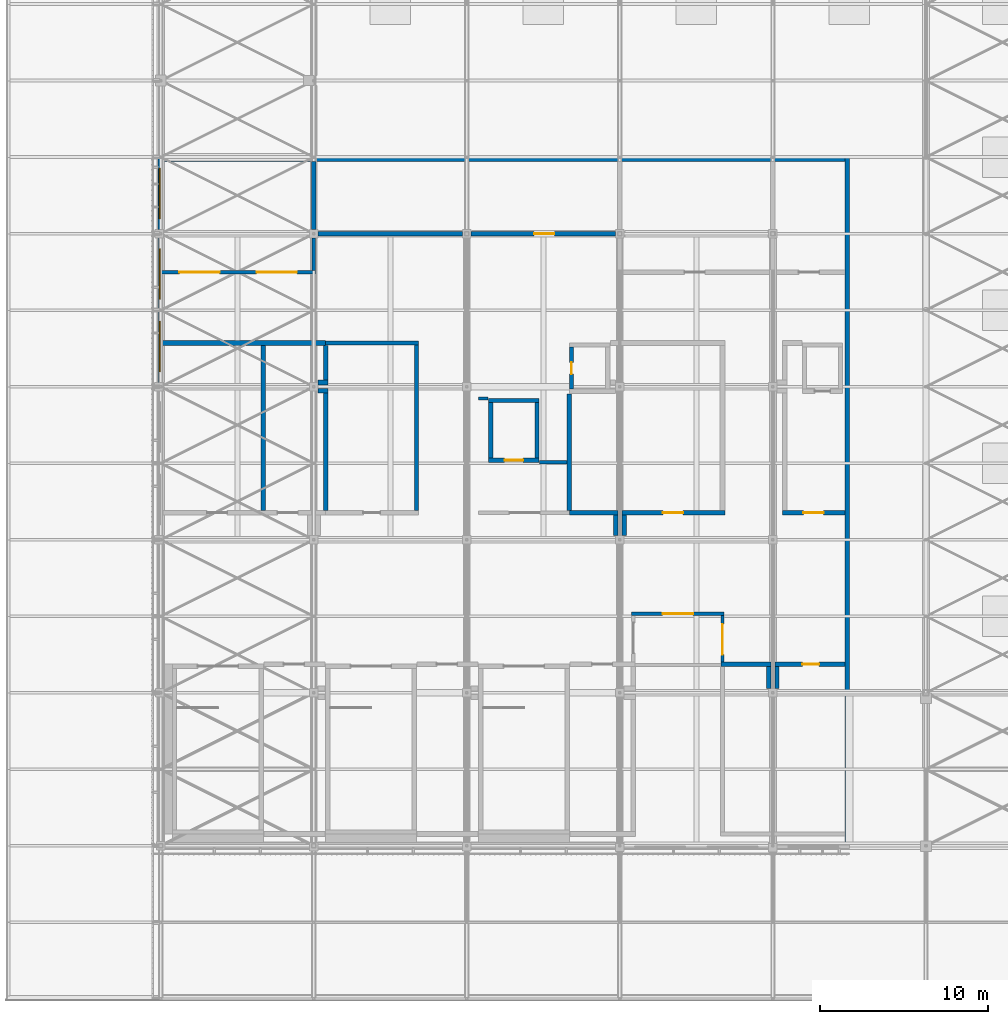
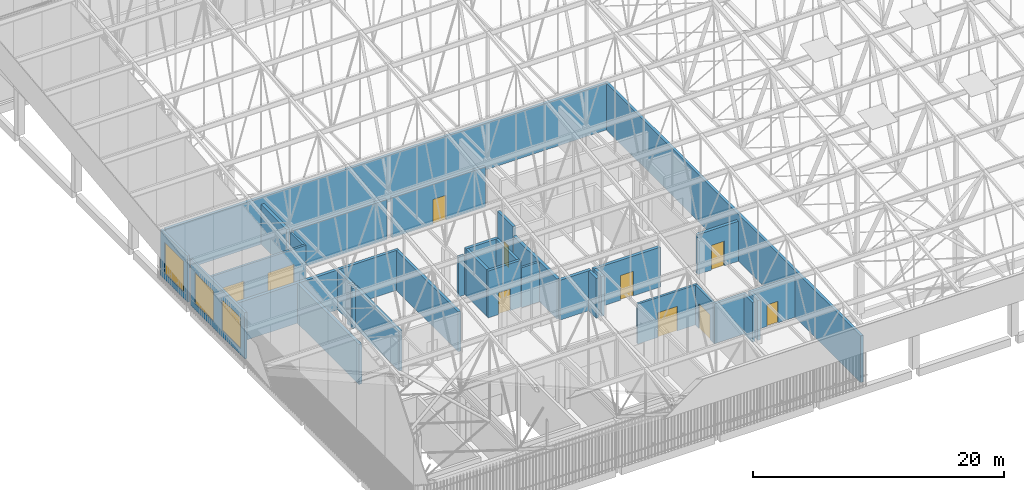
# One storey, part 425 of 500: 36 walls, 10 doors, 3 windows, 13 openings.
"""IFC4 building model written with IfcOpenShell, lengths in metres."""

from ifc_helpers import new_model, si_unit, direction, frame, frame_2d, origin, place, context, subcontext, project, spatial, rectangle, extrude, material, layer, layer_set, type_object, element, fill, save


model = new_model("IFC4")

# Units and contexts
model_context = context("Model", 3, precision=1e-05, world=origin(), true_north=direction((0.0, 1.0)))
body_context = subcontext(model_context, "Body", "Model", "MODEL_VIEW")
ifc_project = project(units=[si_unit("LENGTHUNIT", "METRE"), si_unit("AREAUNIT", "SQUARE_METRE"), si_unit("VOLUMEUNIT", "CUBIC_METRE"), si_unit("PLANEANGLEUNIT", "RADIAN"), si_unit("MASSUNIT", "GRAM", prefix="KILO")], contexts=[model_context])

# Site, building, storey
site_placement = place(None, origin())
site = spatial("IfcSite", under=ifc_project, at=site_placement, CompositionType="ELEMENT")
building_placement = place(site_placement, origin())
building = spatial("IfcBuilding", under=site, at=building_placement, Name="Shirokan Park Arena", CompositionType="ELEMENT")
storey_placement = place(building_placement, frame((0.0, 0.0, 29.1201171875)))
storey = spatial("IfcBuildingStorey", under=building, at=storey_placement, Name="L06", CompositionType="ELEMENT", Elevation=29.1201171875)

# Walls
ifc_material_1 = material(Name="Plaster")
ifc_layer_1 = layer(ifc_material_1, 0.014892578125, Name="Plaster")
ifc_material_2 = material(Name="Concrete blockwork", Category="masonry")
ifc_layer_2 = layer(ifc_material_2, 0.219970703125, Name="Concrete blockwork 220")
ifc_layer_3 = layer(ifc_material_1, 0.014892578125, Name="Plaster")
ifc_layer_set_1 = layer_set([ifc_layer_1, ifc_layer_2, ifc_layer_3], Name="Plaster + Concrete blockwork 220")
wall_type_1 = type_object("IfcWallType", Name="Compartment wall 250", PredefinedType="SOLIDWALL", material=ifc_layer_set_1)
wall_1_placement = place(storey_placement, frame((9.800048828125, 29.89990234375, 0.0), z_axis=(0.0, 0.0, 1.0), x_axis=(1.0, 0.0, 0.0)))
element("IfcWall", 1, at=wall_1_placement, inside=storey, type_object=wall_type_1, Name="Compartment wall 250 L06", PredefinedType="SOLIDWALL", context=body_context, shape_type="SweptSolid", body=[
    extrude(rectangle(XDim=5.52490234375, YDim=0.25, at=frame_2d((2.762451171875, 0.0))), origin(), (0.0, 0.0, 1.0), 3.8798828125),
])
wall_2_placement = place(storey_placement, frame((15.199951171875, 29.77490234375, 0.0), z_axis=(0.0, 0.0, 1.0), x_axis=(0.0, -1.0, 0.0)))
element("IfcWall", 2, at=wall_2_placement, inside=storey, type_object=wall_type_1, Name="Compartment wall 250 L06", PredefinedType="SOLIDWALL", context=body_context, shape_type="SweptSolid", body=[
    extrude(rectangle(XDim=9.849853515625, YDim=0.25, at=frame_2d((4.9248046875, 0.0))), origin(), (0.0, 0.0, 1.0), 3.8798828125),
])
wall_3_placement = place(storey_placement, frame((36.14990234375, 9.35009765625, 0.0), z_axis=(0.0, 0.0, 1.0), x_axis=(0.0, 1.0, 0.0)))
element("IfcWall", 3, at=wall_3_placement, inside=storey, type_object=wall_type_1, Name="Compartment wall 250 L06", PredefinedType="SOLIDWALL", context=body_context, shape_type="SweptSolid", body=[
    extrude(rectangle(XDim=1.324951171875, YDim=0.25, at=frame_2d((0.66259765625, 0.0))), origin(), (0.0, 0.0, 1.0), 3.8798828125),
])
wall_4_placement = place(storey_placement, frame((36.27490234375, 10.800048828125, 0.0), z_axis=(0.0, 0.0, 1.0), x_axis=(-1.0, 0.0, 0.0)))
element("IfcWall", 4, at=wall_4_placement, inside=storey, type_object=wall_type_1, Name="Compartment wall 250 L06", PredefinedType="SOLIDWALL", context=body_context, shape_type="SweptSolid", body=[
    extrude(rectangle(XDim=2.974853515625, YDim=0.25, at=frame_2d((1.4873046875, 0.0))), origin(), (0.0, 0.0, 1.0), 3.8798828125),
])
wall_5_placement = place(storey_placement, frame((36.64990234375, 10.675048828125, 0.0), z_axis=(0.0, 0.0, 1.0), x_axis=(0.0, -1.0, 0.0)))
element("IfcWall", 5, at=wall_5_placement, inside=storey, type_object=wall_type_1, Name="Compartment wall 250 L06", PredefinedType="SOLIDWALL", context=body_context, shape_type="SweptSolid", body=[
    extrude(rectangle(XDim=1.324951171875, YDim=0.25, at=frame_2d((0.66259765625, 0.0))), origin(), (0.0, 0.0, 1.0), 3.8798828125),
])

# Wall, opening, door
wall_6_placement = place(storey_placement, frame((40.699951171875, 10.800048828125, 0.0), z_axis=(0.0, 0.0, 1.0), x_axis=(-1.0, 0.0, 0.0)))
wall_6 = element("IfcWall", 6, at=wall_6_placement, inside=storey, type_object=wall_type_1, Name="Compartment wall 250 L06", PredefinedType="SOLIDWALL", context=body_context, shape_type="SweptSolid", body=[
    extrude(rectangle(XDim=4.175048828125, YDim=0.25, at=frame_2d((2.08740234375, 0.0))), origin(), (0.0, 0.0, 1.0), 3.8798828125),
])
opening_1_placement = place(wall_6_placement, frame((1.550048828125, 0.0, 0.0)))
opening_1 = element("IfcOpeningElement", 7, at=opening_1_placement, cuts=wall_6, Name="Opening D-6009", PredefinedType="OPENING", context=body_context, shape_type="SweptSolid", body=[
    extrude(rectangle(XDim=1.0, YDim=2.10009765625, at=frame_2d((0.5, 1.050048828125))), frame((0.0, 0.135009765625, 0.0), z_axis=(0.0, -1.0, 0.0), x_axis=(1.0, 0.0, 0.0)), (0.0, 0.0, 1.0), 0.27001953125),
])
ifc_material_3 = material(Name="Timber door set, fire resisting", Category="wood")
door_type_1 = type_object("IfcDoorType", Name="Door 1000 x 2100", OperationType="SINGLE_SWING_LEFT", PredefinedType="DOOR", material=ifc_material_3)
door_1_placement = place(opening_1_placement, origin())
door_1 = element("IfcDoor", 8, at=door_1_placement, inside=storey, type_object=door_type_1, Name="Door to Maintenance Equipment Store 6.13 D-6009", OperationType="SINGLE_SWING_RIGHT", OverallHeight=2.10009765625, OverallWidth=1.0, PredefinedType="DOOR", context=body_context, shape_type="SweptSolid", body=[
    extrude(rectangle(XDim=1.0, YDim=2.10009765625, at=frame_2d((0.5, 1.050048828125))), frame((0.0, 0.02490234375, 0.0), z_axis=(0.0, -1.0, 0.0), x_axis=(1.0, 0.0, 0.0)), (0.0, 0.0, 1.0), 0.050048828125),
])
fill(opening_1, door_1)

# Wall, openings, doors
ifc_material_4 = material(Name="Gypsum board")
ifc_layer_4 = layer(ifc_material_4, 0.02490234375, Name="Gypsum board, two layers")
ifc_material_5 = material(Name="Mineral wool insulation")
ifc_layer_5 = layer(ifc_material_5, 0.14990234375, Name="Mineral wool insulation")
ifc_layer_6 = layer(ifc_material_4, 0.02490234375, Name="Gypsum board, two layers")
ifc_layer_set_2 = layer_set([ifc_layer_4, ifc_layer_5, ifc_layer_6], Name="Gypsum board, two layers + Mineral wool insulation")
wall_type_2 = type_object("IfcWallType", Name="Corridor wall 200", PredefinedType="PARTITIONING", material=ifc_layer_set_2)
wall_7_placement = place(storey_placement, frame((0.050048828125, 34.10009765625, 0.0), z_axis=(0.0, 0.0, 1.0), x_axis=(1.0, 0.0, 0.0)))
wall_7 = element("IfcWall", 9, at=wall_7_placement, inside=storey, type_object=wall_type_2, Name="Corridor wall 200 L06", PredefinedType="PARTITIONING", context=body_context, shape_type="SweptSolid", body=[
    extrude(rectangle(XDim=9.14990234375, YDim=0.199951171875, at=frame_2d((4.574951171875, 0.0))), origin(), (0.0, 0.0, 1.0), 3.8798828125),
])
opening_2_placement = place(wall_7_placement, frame((1.050048828125, 0.0, 0.0)))
opening_2 = element("IfcOpeningElement", 10, at=opening_2_placement, cuts=wall_7, Name="Opening D-6042", PredefinedType="OPENING", context=body_context, shape_type="SweptSolid", body=[
    extrude(rectangle(XDim=2.39990234375, YDim=2.39990234375, at=frame_2d((1.199951171875, 1.199951171875))), frame((0.0, 0.10986328125, 0.0), z_axis=(0.0, -1.0, 0.0), x_axis=(1.0, 0.0, 0.0)), (0.0, 0.0, 1.0), 0.219970703125),
])
opening_3_placement = place(wall_7_placement, frame((5.64990234375, 0.0, 0.0)))
opening_3 = element("IfcOpeningElement", 11, at=opening_3_placement, cuts=wall_7, Name="Opening D-6043", PredefinedType="OPENING", context=body_context, shape_type="SweptSolid", body=[
    extrude(rectangle(XDim=2.39990234375, YDim=2.39990234375, at=frame_2d((1.199951171875, 1.199951171875))), frame((0.0, 0.10986328125, 0.0), z_axis=(0.0, -1.0, 0.0), x_axis=(1.0, 0.0, 0.0)), (0.0, 0.0, 1.0), 0.219970703125),
])
ifc_material_6 = material(Name="Steel door set, fire resisting", Category="steel")
door_type_2 = type_object("IfcDoorType", Name="Double door 2400 x 2400", OperationType="DOUBLE_DOOR_SINGLE_SWING", PredefinedType="DOOR", material=ifc_material_6)
door_2_placement = place(opening_2_placement, origin())
door_2 = element("IfcDoor", 12, at=door_2_placement, inside=storey, type_object=door_type_2, Name="Door between Service Corridor 1.6 and Concourse Link 1.6 D-6042", OperationType="DOUBLE_DOOR_SINGLE_SWING", OverallHeight=2.39990234375, OverallWidth=2.39990234375, PredefinedType="DOOR", context=body_context, shape_type="SweptSolid", body=[
    extrude(rectangle(XDim=2.39990234375, YDim=2.39990234375, at=frame_2d((1.199951171875, 1.199951171875))), frame((0.0, 0.02490234375, 0.0), z_axis=(0.0, -1.0, 0.0), x_axis=(1.0, 0.0, 0.0)), (0.0, 0.0, 1.0), 0.050048828125),
])
fill(opening_2, door_2)
door_3_placement = place(opening_3_placement, origin())
door_3 = element("IfcDoor", 13, at=door_3_placement, inside=storey, type_object=door_type_2, Name="Door between Service Corridor 1.6 and Concourse Link 1.6 D-6043", OperationType="DOUBLE_DOOR_SINGLE_SWING", OverallHeight=2.39990234375, OverallWidth=2.39990234375, PredefinedType="DOOR", context=body_context, shape_type="SweptSolid", body=[
    extrude(rectangle(XDim=2.39990234375, YDim=2.39990234375, at=frame_2d((1.199951171875, 1.199951171875))), frame((0.0, 0.02490234375, 0.0), z_axis=(0.0, -1.0, 0.0), x_axis=(1.0, 0.0, 0.0)), (0.0, 0.0, 1.0), 0.050048828125),
])
fill(opening_3, door_3)

# Walls
wall_8_placement = place(storey_placement, frame((9.10009765625, 34.199951171875, 0.0), z_axis=(0.0, 0.0, 1.0), x_axis=(0.0, 1.0, 0.0)))
element("IfcWall", 14, at=wall_8_placement, inside=storey, type_object=wall_type_2, Name="Corridor wall 200 L06", PredefinedType="PARTITIONING", context=body_context, shape_type="SweptSolid", body=[
    extrude(rectangle(XDim=1.949951171875, YDim=0.199951171875, at=frame_2d((0.97509765625, 0.0))), origin(), (0.0, 0.0, 1.0), 3.8798828125),
])
wall_9_placement = place(storey_placement, frame((18.89990234375, 26.60009765625, 0.0), z_axis=(0.0, 0.0, 1.0), x_axis=(1.0, 0.0, 0.0)))
element("IfcWall", 15, at=wall_9_placement, inside=storey, type_object=wall_type_2, Name="Corridor wall 200 L06", PredefinedType="PARTITIONING", context=body_context, shape_type="SweptSolid", body=[
    extrude(rectangle(XDim=0.570068359375, YDim=0.199951171875, at=frame_2d((0.28515625, 0.0))), origin(), (0.0, 0.0, 1.0), 3.8798828125),
])
wall_10_placement = place(storey_placement, frame((22.530029296875, 22.800048828125, 0.0), z_axis=(0.0, 0.0, 1.0), x_axis=(1.0, 0.0, 0.0)))
element("IfcWall", 16, at=wall_10_placement, inside=storey, type_object=wall_type_2, Name="Corridor wall 200 L06", PredefinedType="PARTITIONING", context=body_context, shape_type="SweptSolid", body=[
    extrude(rectangle(XDim=1.632568359375, YDim=0.199951171875, at=frame_2d((0.81640625, 0.0))), origin(), (0.0, 0.0, 1.0), 3.8798828125),
])

# Wall, opening, door
wall_11_placement = place(storey_placement, frame((33.39990234375, 10.925048828125, 0.0), z_axis=(0.0, 0.0, 1.0), x_axis=(0.0, 1.0, 0.0)))
wall_11 = element("IfcWall", 17, at=wall_11_placement, inside=storey, type_object=wall_type_2, Name="Corridor wall 200 L06", PredefinedType="PARTITIONING", context=body_context, shape_type="SweptSolid", body=[
    extrude(rectangle(XDim=2.77490234375, YDim=0.199951171875, at=frame_2d((1.387451171875, 0.0))), origin(), (0.0, 0.0, 1.0), 3.8798828125),
])
opening_4_placement = place(wall_11_placement, frame((0.449951171875, 0.0, 0.0)))
opening_4 = element("IfcOpeningElement", 18, at=opening_4_placement, cuts=wall_11, Name="Opening D-6045", PredefinedType="OPENING", context=body_context, shape_type="SweptSolid", body=[
    extrude(rectangle(XDim=1.800048828125, YDim=2.39990234375, at=frame_2d((0.89990234375, 1.199951171875))), frame((0.0, 0.10986328125, 0.0), z_axis=(0.0, -1.0, 0.0), x_axis=(1.0, 0.0, 0.0)), (0.0, 0.0, 1.0), 0.219970703125),
])
ifc_material_7 = material(Name="Glazed steel door set, fire resisting", Category="steel")
door_type_3 = type_object("IfcDoorType", Name="Lift lobby door 1800 x 2400", OperationType="DOUBLE_DOOR_SINGLE_SWING", PredefinedType="DOOR", material=ifc_material_7)
door_4_placement = place(opening_4_placement, origin())
door_4 = element("IfcDoor", 19, at=door_4_placement, inside=storey, type_object=door_type_3, Name="Door between Plant Gallery 1.6.1 and Lift Lobby 1.6 D-6045", OperationType="DOUBLE_DOOR_SINGLE_SWING", OverallHeight=2.39990234375, OverallWidth=1.800048828125, PredefinedType="DOOR", context=body_context, shape_type="SweptSolid", body=[
    extrude(rectangle(XDim=1.800048828125, YDim=2.39990234375, at=frame_2d((0.89990234375, 1.199951171875))), frame((0.0, 0.02490234375, 0.0), z_axis=(0.0, -1.0, 0.0), x_axis=(1.0, 0.0, 0.0)), (0.0, 0.0, 1.0), 0.050048828125),
])
fill(opening_4, door_4)

wall_12_placement = place(storey_placement, frame((33.5, 13.800048828125, 0.0), z_axis=(0.0, 0.0, 1.0), x_axis=(-1.0, 0.0, 0.0)))
wall_12 = element("IfcWall", 20, at=wall_12_placement, inside=storey, type_object=wall_type_2, Name="Corridor wall 200 L06", PredefinedType="PARTITIONING", context=body_context, shape_type="SweptSolid", body=[
    extrude(rectangle(XDim=5.5, YDim=0.199951171875, at=frame_2d((2.75, 0.0))), origin(), (0.0, 0.0, 1.0), 3.8798828125),
])
opening_5_placement = place(wall_12_placement, frame((1.85009765625, 0.0, 0.0)))
opening_5 = element("IfcOpeningElement", 21, at=opening_5_placement, cuts=wall_12, Name="Opening D-6044", PredefinedType="OPENING", context=body_context, shape_type="SweptSolid", body=[
    extrude(rectangle(XDim=1.800048828125, YDim=2.39990234375, at=frame_2d((0.89990234375, 1.199951171875))), frame((0.0, 0.10986328125, 0.0), z_axis=(0.0, -1.0, 0.0), x_axis=(1.0, 0.0, 0.0)), (0.0, 0.0, 1.0), 0.219970703125),
])
door_5_placement = place(opening_5_placement, origin())
door_5 = element("IfcDoor", 22, at=door_5_placement, inside=storey, type_object=door_type_3, Name="Door between Plant Gallery 1.6.1 and Lift Lobby 1.6 D-6044", OperationType="DOUBLE_DOOR_SINGLE_SWING", OverallHeight=2.39990234375, OverallWidth=1.800048828125, PredefinedType="DOOR", context=body_context, shape_type="SweptSolid", body=[
    extrude(rectangle(XDim=1.800048828125, YDim=2.39990234375, at=frame_2d((0.89990234375, 1.199951171875))), frame((0.0, 0.02490234375, 0.0), z_axis=(0.0, -1.0, 0.0), x_axis=(1.0, 0.0, 0.0)), (0.0, 0.0, 1.0), 0.050048828125),
])
fill(opening_5, door_5)

# Wall, opening, window
ifc_material_8 = material(Name="Concrete C35", Category="concrete")
ifc_layer_7 = layer(ifc_material_8, 0.14990234375, Name="Concrete C35")
ifc_layer_8 = layer(ifc_material_5, 0.050048828125, Name="Mineral wool insulation")
ifc_layer_set_3 = layer_set([ifc_layer_7, ifc_layer_8], Name="Concrete C35 + Mineral wool insulation")
wall_type_3 = type_object("IfcWallType", Name="Plant gallery wall 200", PredefinedType="SOLIDWALL", material=ifc_layer_set_3)
wall_13_placement = place(storey_placement, frame((-0.050048828125, 40.949951171875, 0.0), z_axis=(0.0, 0.0, 1.0), x_axis=(0.0, -1.0, 0.0)))
wall_13 = element("IfcWall", 23, at=wall_13_placement, inside=storey, type_object=wall_type_3, Name="West facade wall bay 8 L06", PredefinedType="SOLIDWALL", context=body_context, shape_type="SweptSolid", body=[
    extrude(rectangle(XDim=4.300048828125, YDim=0.199951171875, at=frame_2d((2.14990234375, 0.0))), origin(), (0.0, 0.0, 1.0), 4.5),
])
opening_6_placement = place(wall_13_placement, frame((0.64990234375, 0.0, 0.60009765625)))
opening_6 = element("IfcOpeningElement", 24, at=opening_6_placement, cuts=wall_13, Name="Opening W2", PredefinedType="OPENING", context=body_context, shape_type="SweptSolid", body=[
    extrude(rectangle(XDim=3.0, YDim=3.0, at=frame_2d((1.5, 1.5))), frame((0.0, 0.10986328125, 0.0), z_axis=(0.0, -1.0, 0.0), x_axis=(1.0, 0.0, 0.0)), (0.0, 0.0, 1.0), 0.219970703125),
])
ifc_material_9 = material(Name="Aluminium louvre", Category="aluminium")
window_type = type_object("IfcWindowType", Name="Plant louvre 3000x3000", PartitioningType="DOUBLE_PANEL_VERTICAL", PredefinedType="WINDOW", material=ifc_material_9)
window_1_placement = place(opening_6_placement, origin())
window_1 = element("IfcWindow", 25, at=window_1_placement, inside=storey, type_object=window_type, Name="Plant louvre 3000x3000 west bay 8 L06", OverallHeight=3.0, OverallWidth=3.0, PartitioningType="SINGLE_PANEL", PredefinedType="WINDOW", context=body_context, shape_type="SweptSolid", body=[
    extrude(rectangle(XDim=3.0, YDim=3.0, at=frame_2d((1.5, 1.5))), frame((0.0, 0.030029296875, 0.0), z_axis=(0.0, -1.0, 0.0), x_axis=(1.0, 0.0, 0.0)), (0.0, 0.0, 1.0), 0.06005859375),
])
fill(opening_6, window_1)

# Wall, openings, windows
wall_14_placement = place(storey_placement, frame((-0.050048828125, 36.14990234375, 0.0), z_axis=(0.0, 0.0, 1.0), x_axis=(0.0, -1.0, 0.0)))
wall_14 = element("IfcWall", 26, at=wall_14_placement, inside=storey, type_object=wall_type_3, Name="West facade wall bay 9 L06", PredefinedType="SOLIDWALL", context=body_context, shape_type="SweptSolid", body=[
    extrude(rectangle(XDim=8.599853515625, YDim=0.199951171875, at=frame_2d((4.2998046875, 0.0))), origin(), (0.0, 0.0, 1.0), 4.5),
])
opening_7_placement = place(wall_14_placement, frame((0.64990234375, 0.0, 0.60009765625)))
opening_7 = element("IfcOpeningElement", 27, at=opening_7_placement, cuts=wall_14, Name="Opening W2", PredefinedType="OPENING", context=body_context, shape_type="SweptSolid", body=[
    extrude(rectangle(XDim=3.0, YDim=3.0, at=frame_2d((1.5, 1.5))), frame((0.0, 0.10986328125, 0.0), z_axis=(0.0, -1.0, 0.0), x_axis=(1.0, 0.0, 0.0)), (0.0, 0.0, 1.0), 0.219970703125),
])
opening_8_placement = place(wall_14_placement, frame((4.949951171875, 0.0, 0.60009765625)))
opening_8 = element("IfcOpeningElement", 28, at=opening_8_placement, cuts=wall_14, Name="Opening W2", PredefinedType="OPENING", context=body_context, shape_type="SweptSolid", body=[
    extrude(rectangle(XDim=3.0, YDim=3.0, at=frame_2d((1.5, 1.5))), frame((0.0, 0.10986328125, 0.0), z_axis=(0.0, -1.0, 0.0), x_axis=(1.0, 0.0, 0.0)), (0.0, 0.0, 1.0), 0.219970703125),
])
window_2_placement = place(opening_7_placement, origin())
window_2 = element("IfcWindow", 29, at=window_2_placement, inside=storey, type_object=window_type, Name="Plant louvre 3000x3000 west bay 9 L06", OverallHeight=3.0, OverallWidth=3.0, PartitioningType="SINGLE_PANEL", PredefinedType="WINDOW", context=body_context, shape_type="SweptSolid", body=[
    extrude(rectangle(XDim=3.0, YDim=3.0, at=frame_2d((1.5, 1.5))), frame((0.0, 0.030029296875, 0.0), z_axis=(0.0, -1.0, 0.0), x_axis=(1.0, 0.0, 0.0)), (0.0, 0.0, 1.0), 0.06005859375),
])
fill(opening_7, window_2)
window_3_placement = place(opening_8_placement, origin())
window_3 = element("IfcWindow", 30, at=window_3_placement, inside=storey, type_object=window_type, Name="Plant louvre 3000x3000 west bay 9 L06", OverallHeight=3.0, OverallWidth=3.0, PartitioningType="SINGLE_PANEL", PredefinedType="WINDOW", context=body_context, shape_type="SweptSolid", body=[
    extrude(rectangle(XDim=3.0, YDim=3.0, at=frame_2d((1.5, 1.5))), frame((0.0, 0.030029296875, 0.0), z_axis=(0.0, -1.0, 0.0), x_axis=(1.0, 0.0, 0.0)), (0.0, 0.0, 1.0), 0.06005859375),
])
fill(opening_8, window_3)

# Walls
ifc_layer_9 = layer(ifc_material_1, 0.012451171875, Name="Plaster")
ifc_layer_10 = layer(ifc_material_2, 0.25, Name="Concrete blockwork 250")
ifc_layer_11 = layer(ifc_material_1, 0.012451171875, Name="Plaster")
ifc_layer_set_4 = layer_set([ifc_layer_9, ifc_layer_10, ifc_layer_11], Name="Plaster + Concrete blockwork 250")
wall_type_4 = type_object("IfcWallType", Name="Plant room wall 275", PredefinedType="SOLIDWALL", material=ifc_layer_set_4)
wall_15_placement = place(storey_placement, frame((0.050048828125, 29.89990234375, 0.0), z_axis=(0.0, 0.0, 1.0), x_axis=(1.0, 0.0, 0.0)))
element("IfcWall", 31, at=wall_15_placement, inside=storey, type_object=wall_type_4, Name="Plant room wall 275 L06", PredefinedType="SOLIDWALL", context=body_context, shape_type="SweptSolid", body=[
    extrude(rectangle(XDim=9.75, YDim=0.27490234375, at=frame_2d((4.875, 0.0))), origin(), (0.0, 0.0, 1.0), 3.8798828125),
])
wall_16_placement = place(storey_placement, frame((6.10009765625, 29.762451171875, 0.0), z_axis=(0.0, 0.0, 1.0), x_axis=(0.0, -1.0, 0.0)))
element("IfcWall", 32, at=wall_16_placement, inside=storey, type_object=wall_type_4, Name="Plant room wall 275 L06", PredefinedType="SOLIDWALL", context=body_context, shape_type="SweptSolid", body=[
    extrude(rectangle(XDim=9.824951171875, YDim=0.27490234375, at=frame_2d((4.91259765625, 0.0))), origin(), (0.0, 0.0, 1.0), 3.8798828125),
])
wall_17_placement = place(storey_placement, frame((9.10009765625, 36.64990234375, 0.0), z_axis=(0.0, 0.0, 1.0), x_axis=(0.0, 1.0, 0.0)))
element("IfcWall", 33, at=wall_17_placement, inside=storey, type_object=wall_type_4, Name="Plant room wall 275 L06", PredefinedType="SOLIDWALL", context=body_context, shape_type="SweptSolid", body=[
    extrude(rectangle(XDim=4.050048828125, YDim=0.27490234375, at=frame_2d((2.02490234375, 0.0))), origin(), (0.0, 0.0, 1.0), 3.8798828125),
])
wall_18_placement = place(storey_placement, frame((9.35009765625, 27.550048828125, 0.0), z_axis=(0.0, 0.0, 1.0), x_axis=(1.0, 0.0, 0.0)))
element("IfcWall", 34, at=wall_18_placement, inside=storey, type_object=wall_type_4, Name="Plant room wall 275 L06", PredefinedType="SOLIDWALL", context=body_context, shape_type="SweptSolid", body=[
    extrude(rectangle(XDim=0.58740234375, YDim=0.27490234375, at=frame_2d((0.293701171875, 0.0))), origin(), (0.0, 0.0, 1.0), 3.8798828125),
])
wall_19_placement = place(storey_placement, frame((9.800048828125, 19.9375, 0.0), z_axis=(0.0, 0.0, 1.0), x_axis=(0.0, 1.0, 0.0)))
element("IfcWall", 35, at=wall_19_placement, inside=storey, type_object=wall_type_4, Name="Plant room wall 275 L06", PredefinedType="SOLIDWALL", context=body_context, shape_type="SweptSolid", body=[
    extrude(rectangle(XDim=6.97509765625, YDim=0.27490234375, at=frame_2d((3.487548828125, 0.0))), origin(), (0.0, 0.0, 1.0), 3.8798828125),
])
wall_20_placement = place(storey_placement, frame((9.800048828125, 27.6875, 0.0), z_axis=(0.0, 0.0, 1.0), x_axis=(0.0, 1.0, 0.0)))
element("IfcWall", 36, at=wall_20_placement, inside=storey, type_object=wall_type_4, Name="Plant room wall 275 L06", PredefinedType="SOLIDWALL", context=body_context, shape_type="SweptSolid", body=[
    extrude(rectangle(XDim=2.074951171875, YDim=0.27490234375, at=frame_2d((1.03759765625, 0.0))), origin(), (0.0, 0.0, 1.0), 3.8798828125),
])
wall_21_placement = place(storey_placement, frame((9.9375, 27.050048828125, 0.0), z_axis=(0.0, 0.0, 1.0), x_axis=(-1.0, 0.0, 0.0)))
element("IfcWall", 37, at=wall_21_placement, inside=storey, type_object=wall_type_4, Name="Plant room wall 275 L06", PredefinedType="SOLIDWALL", context=body_context, shape_type="SweptSolid", body=[
    extrude(rectangle(XDim=0.58740234375, YDim=0.27490234375, at=frame_2d((0.293701171875, 0.0))), origin(), (0.0, 0.0, 1.0), 3.8798828125),
])
wall_22_placement = place(storey_placement, frame((17.949951171875, 36.39990234375, 0.0), z_axis=(0.0, 0.0, 1.0), x_axis=(-1.0, 0.0, 0.0)))
element("IfcWall", 38, at=wall_22_placement, inside=storey, type_object=wall_type_4, Name="Plant room wall 275 L06", PredefinedType="SOLIDWALL", context=body_context, shape_type="SweptSolid", body=[
    extrude(rectangle(XDim=8.599853515625, YDim=0.27490234375, at=frame_2d((4.2998046875, 0.0))), origin(), (0.0, 0.0, 1.0), 3.8798828125),
])
wall_23_placement = place(storey_placement, frame((24.300048828125, 19.800048828125, 0.0), z_axis=(0.0, 0.0, 1.0), x_axis=(1.0, 0.0, 0.0)))
element("IfcWall", 39, at=wall_23_placement, inside=storey, type_object=wall_type_4, Name="Plant room wall 275 L06", PredefinedType="SOLIDWALL", context=body_context, shape_type="SweptSolid", body=[
    extrude(rectangle(XDim=2.887451171875, YDim=0.27490234375, at=frame_2d((1.44384765625, 0.0))), origin(), (0.0, 0.0, 1.0), 3.8798828125),
])
wall_24_placement = place(storey_placement, frame((24.300048828125, 19.9375, 0.0), z_axis=(0.0, 0.0, 1.0), x_axis=(0.0, 1.0, 0.0)))
element("IfcWall", 40, at=wall_24_placement, inside=storey, type_object=wall_type_4, Name="Plant room wall 275 L06", PredefinedType="SOLIDWALL", context=body_context, shape_type="SweptSolid", body=[
    extrude(rectangle(XDim=6.9326171875, YDim=0.27490234375, at=frame_2d((3.46630859375, 0.0))), origin(), (0.0, 0.0, 1.0), 3.8798828125),
])
wall_25_placement = place(storey_placement, frame((27.050048828125, 19.66259765625, 0.0), z_axis=(0.0, 0.0, 1.0), x_axis=(0.0, -1.0, 0.0)))
element("IfcWall", 41, at=wall_25_placement, inside=storey, type_object=wall_type_4, Name="Plant room wall 275 L06", PredefinedType="SOLIDWALL", context=body_context, shape_type="SweptSolid", body=[
    extrude(rectangle(XDim=1.212646484375, YDim=0.27490234375, at=frame_2d((0.6064453125, 0.0))), origin(), (0.0, 0.0, 1.0), 3.8798828125),
])

# Wall, opening, door
wall_26_placement = place(storey_placement, frame((27.050048828125, 36.39990234375, 0.0), z_axis=(0.0, 0.0, 1.0), x_axis=(-1.0, 0.0, 0.0)))
wall_26 = element("IfcWall", 42, at=wall_26_placement, inside=storey, type_object=wall_type_4, Name="Plant room wall 275 L06", PredefinedType="SOLIDWALL", context=body_context, shape_type="SweptSolid", body=[
    extrude(rectangle(XDim=8.60009765625, YDim=0.27490234375, at=frame_2d((4.300048828125, 0.0))), origin(), (0.0, 0.0, 1.0), 3.8798828125),
])
opening_9_placement = place(wall_26_placement, frame((3.64990234375, 0.0, 0.0)))
opening_9 = element("IfcOpeningElement", 43, at=opening_9_placement, cuts=wall_26, Name="Opening D-6010", PredefinedType="OPENING", context=body_context, shape_type="SweptSolid", body=[
    extrude(rectangle(XDim=1.199951171875, YDim=2.39990234375, at=frame_2d((0.60009765625, 1.199951171875))), frame((0.0, 0.1474609375, 0.0), z_axis=(0.0, -1.0, 0.0), x_axis=(1.0, 0.0, 0.0)), (0.0, 0.0, 1.0), 0.294921875),
])
ifc_material_10 = material(Name="Louvred steel door set, fire resisting", Category="steel")
door_type_4 = type_object("IfcDoorType", Name="Plant room door 1200 x 2400", OperationType="SINGLE_SWING_LEFT", PredefinedType="DOOR", material=ifc_material_10)
door_6_placement = place(opening_9_placement, origin())
door_6 = element("IfcDoor", 44, at=door_6_placement, inside=storey, type_object=door_type_4, Name="Door to Air Handling Plant Room 6.11 D-6010", OperationType="SINGLE_SWING_LEFT", OverallHeight=2.39990234375, OverallWidth=1.199951171875, PredefinedType="DOOR", context=body_context, shape_type="SweptSolid", body=[
    extrude(rectangle(XDim=1.199951171875, YDim=2.39990234375, at=frame_2d((0.60009765625, 1.199951171875))), frame((0.0, 0.02490234375, 0.0), z_axis=(0.0, -1.0, 0.0), x_axis=(1.0, 0.0, 0.0)), (0.0, 0.0, 1.0), 0.050048828125),
])
fill(opening_9, door_6)

wall_27_placement = place(storey_placement, frame((27.41259765625, 19.800048828125, 0.0), z_axis=(0.0, 0.0, 1.0), x_axis=(1.0, 0.0, 0.0)))
wall_27 = element("IfcWall", 45, at=wall_27_placement, inside=storey, type_object=wall_type_4, Name="Plant room wall 275 L06", PredefinedType="SOLIDWALL", context=body_context, shape_type="SweptSolid", body=[
    extrude(rectangle(XDim=6.125, YDim=0.27490234375, at=frame_2d((3.0625, 0.0))), origin(), (0.0, 0.0, 1.0), 3.8798828125),
])
opening_10_placement = place(wall_27_placement, frame((2.449951171875, 0.0, 0.0)))
opening_10 = element("IfcOpeningElement", 46, at=opening_10_placement, cuts=wall_27, Name="Opening D-6002", PredefinedType="OPENING", context=body_context, shape_type="SweptSolid", body=[
    extrude(rectangle(XDim=1.199951171875, YDim=2.39990234375, at=frame_2d((0.60009765625, 1.199951171875))), frame((0.0, 0.1474609375, 0.0), z_axis=(0.0, -1.0, 0.0), x_axis=(1.0, 0.0, 0.0)), (0.0, 0.0, 1.0), 0.294921875),
])
door_7_placement = place(opening_10_placement, origin())
door_7 = element("IfcDoor", 47, at=door_7_placement, inside=storey, type_object=door_type_4, Name="Door to Communications Room 6.18 D-6002", OperationType="SINGLE_SWING_RIGHT", OverallHeight=2.39990234375, OverallWidth=1.199951171875, PredefinedType="DOOR", context=body_context, shape_type="SweptSolid", body=[
    extrude(rectangle(XDim=1.199951171875, YDim=2.39990234375, at=frame_2d((0.60009765625, 1.199951171875))), frame((0.0, 0.02490234375, 0.0), z_axis=(0.0, -1.0, 0.0), x_axis=(1.0, 0.0, 0.0)), (0.0, 0.0, 1.0), 0.050048828125),
])
fill(opening_10, door_7)

# Wall
wall_28_placement = place(storey_placement, frame((27.550048828125, 18.449951171875, 0.0), z_axis=(0.0, 0.0, 1.0), x_axis=(0.0, 1.0, 0.0)))
element("IfcWall", 48, at=wall_28_placement, inside=storey, type_object=wall_type_4, Name="Plant room wall 275 L06", PredefinedType="SOLIDWALL", context=body_context, shape_type="SweptSolid", body=[
    extrude(rectangle(XDim=1.212646484375, YDim=0.27490234375, at=frame_2d((0.6064453125, 0.0))), origin(), (0.0, 0.0, 1.0), 3.8798828125),
])

# Wall, opening, door
wall_29_placement = place(storey_placement, frame((36.96240234375, 19.800048828125, 0.0), z_axis=(0.0, 0.0, 1.0), x_axis=(1.0, 0.0, 0.0)))
wall_29 = element("IfcWall", 49, at=wall_29_placement, inside=storey, type_object=wall_type_4, Name="Plant room wall 275 L06", PredefinedType="SOLIDWALL", context=body_context, shape_type="SweptSolid", body=[
    extrude(rectangle(XDim=3.737548828125, YDim=0.27490234375, at=frame_2d((1.86865234375, 0.0))), origin(), (0.0, 0.0, 1.0), 3.8798828125),
])
opening_11_placement = place(wall_29_placement, frame((1.25, 0.0, 0.0)))
opening_11 = element("IfcOpeningElement", 50, at=opening_11_placement, cuts=wall_29, Name="Opening D-6003", PredefinedType="OPENING", context=body_context, shape_type="SweptSolid", body=[
    extrude(rectangle(XDim=1.199951171875, YDim=2.39990234375, at=frame_2d((0.60009765625, 1.199951171875))), frame((0.0, 0.1474609375, 0.0), z_axis=(0.0, -1.0, 0.0), x_axis=(1.0, 0.0, 0.0)), (0.0, 0.0, 1.0), 0.294921875),
])
door_8_placement = place(opening_11_placement, origin())
door_8 = element("IfcDoor", 51, at=door_8_placement, inside=storey, type_object=door_type_4, Name="Door to Tank Room 6.19 D-6003", OperationType="SINGLE_SWING_RIGHT", OverallHeight=2.39990234375, OverallWidth=1.199951171875, PredefinedType="DOOR", context=body_context, shape_type="SweptSolid", body=[
    extrude(rectangle(XDim=1.199951171875, YDim=2.39990234375, at=frame_2d((0.60009765625, 1.199951171875))), frame((0.0, 0.02490234375, 0.0), z_axis=(0.0, -1.0, 0.0), x_axis=(1.0, 0.0, 0.0)), (0.0, 0.0, 1.0), 0.050048828125),
])
fill(opening_11, door_8)

# Walls
ifc_layer_12 = layer(ifc_material_8, 0.25)
ifc_layer_set_5 = layer_set([ifc_layer_12], Name="Concrete C35 250 mm")
wall_type_5 = type_object("IfcWallType", Name="RC flank wall 250", PredefinedType="SHEAR", material=ifc_layer_set_5)
for number, where, z_axis, x_axis, name in (
    (52, (40.824951171875, 40.949951171875, 0.0), (0.0, 0.0, 1.0), (0.0, -1.0, 0.0), "Flank wall S1 L06"),
    (53, (40.949951171875, 40.824951171875, 0.0), (0.0, 0.0, 1.0), (-1.0, 0.0, 0.0), "Flank wall W1 L06"),
):
    element("IfcWall", number, at=place(storey_placement, frame(where, z_axis=z_axis, x_axis=x_axis)), inside=storey, type_object=wall_type_5, Name=name, PredefinedType="SHEAR", context=body_context, shape_type="SweptSolid", body=[
        extrude(rectangle(XDim=40.77490234375, YDim=0.25, at=frame_2d((20.387451171875, 0.0))), origin(), (0.0, 0.0, 1.0), 4.5498046875),
    ])

# Wall, opening, door
ifc_material_11 = material(Name="Concrete C40/50", Category="concrete")
ifc_layer_13 = layer(ifc_material_11, 0.25)
ifc_layer_set_6 = layer_set([ifc_layer_13], Name="Concrete C40/50 250 mm")
wall_type_6 = type_object("IfcWallType", Name="RC shear wall 250", PredefinedType="SHEAR", material=ifc_layer_set_6)
wall_30_placement = place(storey_placement, frame((24.425048828125, 29.64990234375, 0.0), z_axis=(0.0, 0.0, 1.0), x_axis=(0.0, -1.0, 0.0)))
wall_30 = element("IfcWall", 54, at=wall_30_placement, inside=storey, type_object=wall_type_6, Name="Shaft wall Services Riser 1.2 W L06", PredefinedType="SHEAR", context=body_context, shape_type="SweptSolid", body=[
    extrude(rectangle(XDim=2.5, YDim=0.25, at=frame_2d((1.25, 0.0))), origin(), (0.0, 0.0, 1.0), 4.5498046875),
])
opening_12_placement = place(wall_30_placement, frame((0.89990234375, 0.0, 0.0)))
opening_12 = element("IfcOpeningElement", 55, at=opening_12_placement, cuts=wall_30, Name="Opening D-6061", PredefinedType="OPENING", context=body_context, shape_type="SweptSolid", body=[
    extrude(rectangle(XDim=0.699951171875, YDim=2.10009765625, at=frame_2d((0.35009765625, 1.050048828125))), frame((0.0, 0.135009765625, 0.0), z_axis=(0.0, -1.0, 0.0), x_axis=(1.0, 0.0, 0.0)), (0.0, 0.0, 1.0), 0.27001953125),
])
door_type_5 = type_object("IfcDoorType", Name="Mechanical riser door 700 x 2100", OperationType="SINGLE_SWING_LEFT", PredefinedType="DOOR", material=ifc_material_6)
door_9_placement = place(opening_12_placement, origin())
door_9 = element("IfcDoor", 56, at=door_9_placement, inside=storey, type_object=door_type_5, Name="Riser access door Services Riser 1.2 D-6061", OperationType="SINGLE_SWING_LEFT", OverallHeight=2.10009765625, OverallWidth=0.699951171875, PredefinedType="DOOR", context=body_context, shape_type="SweptSolid", body=[
    extrude(rectangle(XDim=0.699951171875, YDim=2.10009765625, at=frame_2d((0.35009765625, 1.050048828125))), frame((0.0, 0.02490234375, 0.0), z_axis=(0.0, -1.0, 0.0), x_axis=(1.0, 0.0, 0.0)), (0.0, 0.0, 1.0), 0.050048828125),
])
fill(opening_12, door_9)

wall_31_placement = place(storey_placement, frame((22.5, 22.925048828125, 0.0), z_axis=(0.0, 0.0, 1.0), x_axis=(-1.0, 0.0, 0.0)))
wall_31 = element("IfcWall", 57, at=wall_31_placement, inside=storey, type_object=wall_type_6, Name="Shaft wall Service Lift 1 S L06", PredefinedType="SHEAR", context=body_context, shape_type="SweptSolid", body=[
    extrude(rectangle(XDim=3.0, YDim=0.25, at=frame_2d((1.5, 0.0))), origin(), (0.0, 0.0, 1.0), 4.5498046875),
])
opening_13_placement = place(wall_31_placement, frame((0.949951171875, 0.0, 0.0)))
opening_13 = element("IfcOpeningElement", 58, at=opening_13_placement, cuts=wall_31, Name="Opening LD55", PredefinedType="OPENING", context=body_context, shape_type="SweptSolid", body=[
    extrude(rectangle(XDim=1.10009765625, YDim=2.10009765625, at=frame_2d((0.550048828125, 1.050048828125))), frame((0.0, 0.135009765625, 0.0), z_axis=(0.0, -1.0, 0.0), x_axis=(1.0, 0.0, 0.0)), (0.0, 0.0, 1.0), 0.27001953125),
])
ifc_material_12 = material(Name="Stainless steel", Category="steel")
door_type_6 = type_object("IfcDoorType", Name="Lift landing door 1100x2100", OperationType="DOUBLE_DOOR_SLIDING", PredefinedType="DOOR", material=ifc_material_12)
door_10_placement = place(opening_13_placement, origin())
door_10 = element("IfcDoor", 59, at=door_10_placement, inside=storey, type_object=door_type_6, Name="Lift landing door Service Lift 1 L06", OperationType="DOUBLE_DOOR_SLIDING", OverallHeight=2.10009765625, OverallWidth=1.10009765625, PredefinedType="DOOR", context=body_context, shape_type="SweptSolid", body=[
    extrude(rectangle(XDim=1.10009765625, YDim=2.10009765625, at=frame_2d((0.550048828125, 1.050048828125))), frame((0.0, 0.02490234375, 0.0), z_axis=(0.0, -1.0, 0.0), x_axis=(1.0, 0.0, 0.0)), (0.0, 0.0, 1.0), 0.050048828125),
])
fill(opening_13, door_10)

# Walls
wall_32_placement = place(storey_placement, frame((22.5, 26.47509765625, 0.0), z_axis=(0.0, 0.0, 1.0), x_axis=(-1.0, 0.0, 0.0)))
element("IfcWall", 60, at=wall_32_placement, inside=storey, type_object=wall_type_6, Name="Shaft wall Service Lift 1 N L06", PredefinedType="SHEAR", context=body_context, shape_type="SweptSolid", body=[
    extrude(rectangle(XDim=3.0, YDim=0.25, at=frame_2d((1.5, 0.0))), origin(), (0.0, 0.0, 1.0), 4.5498046875),
])
for number, where, z_axis, x_axis, name in (
    (61, (19.625, 26.35009765625, 0.0), (0.0, 0.0, 1.0), (0.0, -1.0, 0.0), "Shaft wall Service Lift 1 W L06"),
    (62, (22.375, 26.35009765625, 0.0), (0.0, 0.0, 1.0), (0.0, -1.0, 0.0), "Shaft wall Service Lift 1 E L06"),
):
    element("IfcWall", number, at=place(storey_placement, frame(where, z_axis=z_axis, x_axis=x_axis)), inside=storey, type_object=wall_type_6, Name=name, PredefinedType="SHEAR", context=body_context, shape_type="SweptSolid", body=[
        extrude(rectangle(XDim=3.300048828125, YDim=0.25, at=frame_2d((1.64990234375, 0.0))), origin(), (0.0, 0.0, 1.0), 4.5498046875),
    ])

save(model, "model.ifc")
